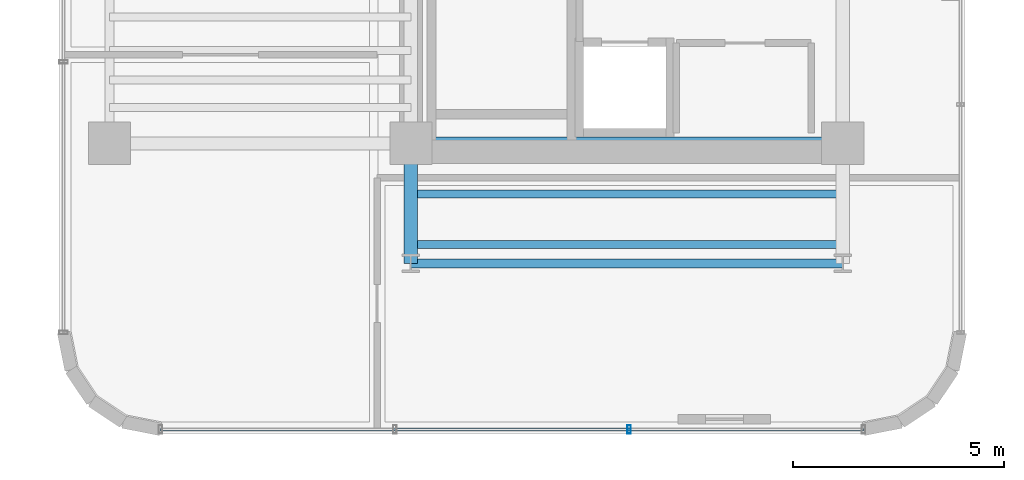
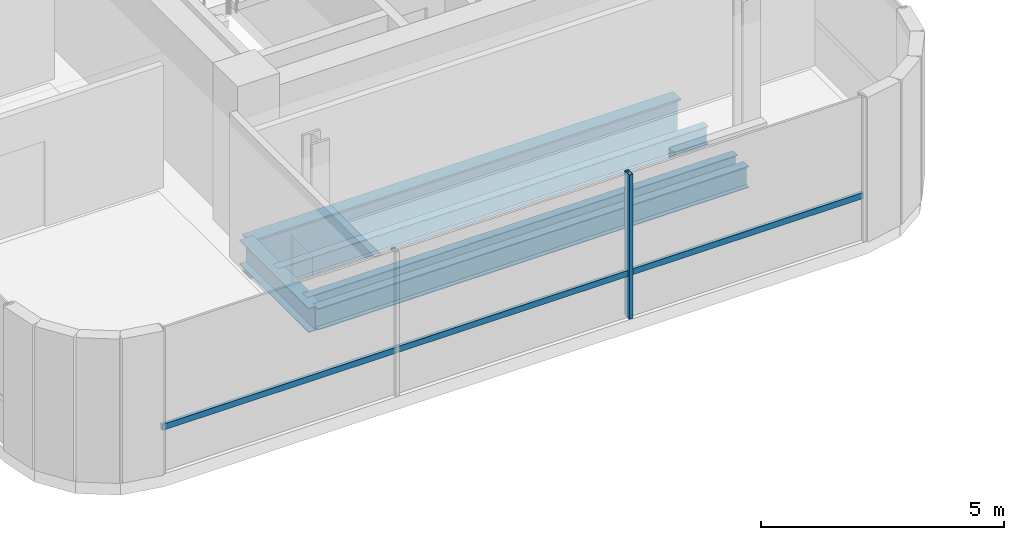
# One storey, part 3 of 37: 5 beams, 2 members, 1 element without a shape of its own.
"""IFC4 building model written with IfcOpenShell, lengths in metres."""

from ifc_helpers import new_model, si_unit, direction, frame, origin, origin_2d, place, context, subcontext, project, spatial, hollow_rectangle, i_section, extrude, source, transform, mapped, material, material_profile, profile_set, type_object, element, aggregate, save


model = new_model("IFC4")

# Units and contexts
model_context = context("Model", 3, precision=1e-05, world=origin(), true_north=direction((0.0, 1.0)))
body_context = subcontext(model_context, "Body", "Model", "MODEL_VIEW")
ifc_project = project(units=[si_unit("LENGTHUNIT", "METRE"), si_unit("AREAUNIT", "SQUARE_METRE"), si_unit("VOLUMEUNIT", "CUBIC_METRE"), si_unit("PLANEANGLEUNIT", "RADIAN"), si_unit("MASSUNIT", "GRAM", prefix="KILO")], contexts=[model_context])

# Site, building, storey
site_placement = place(None, origin())
site = spatial("IfcSite", under=ifc_project, at=site_placement, CompositionType="ELEMENT")
building_placement = place(site_placement, origin())
building = spatial("IfcBuilding", under=site, at=building_placement, Name="Valdorenza Pilgrim Sanctuary Tower", CompositionType="ELEMENT")
storey_placement = place(building_placement, frame((0.0, 0.0, 188.39990234375)))
storey = spatial("IfcBuildingStorey", under=building, at=storey_placement, Name="L48", CompositionType="ELEMENT", Elevation=188.39990234375)

# Beams
ifc_material_1 = material(Name="Steel ASTM A992 Grade 50", Category="steel")
ifc_material_profile_1 = material_profile(ifc_material_1, i_section(OverallWidth=0.323974609375, OverallDepth=0.611083984375, WebThickness=0.0126953125, FlangeThickness=0.01904296875, at=origin_2d()), Name="W24X104")
ifc_profile_set_1 = profile_set([ifc_material_profile_1], Name="Steel ASTM A992 Grade 50")
beam_type_1 = type_object("IfcBeamType", Name="STR-BM-GRD-W24B", PredefinedType="BEAM", material=ifc_profile_set_1)
shared_shape_1 = source(origin(), body_context, "Body", "SweptSolid", [
    extrude(i_section(OverallWidth=0.323974609375, OverallDepth=0.611083984375, WebThickness=0.0126953125, FlangeThickness=0.01904296875, at=origin_2d()), origin(), (0.0, 0.0, 1.0), 2.849853515625),
])
beam_1_placement = place(storey_placement, frame((-22.64990234375, -13.449951171875, -0.62548828125), z_axis=(0.0, 1.0, 0.0), x_axis=(-1.0, 0.0, 0.0)))
element("IfcBeam", 1, at=beam_1_placement, inside=storey, type_object=beam_type_1, Name="L48 Floor Girder WA-S-LW", PredefinedType="BEAM", context=body_context, shape_type="MappedRepresentation", body=[
    mapped(shared_shape_1, transform((0.0, 0.0, 0.0), x_axis=(1.0, 0.0, 0.0), y_axis=(0.0, 1.0, 0.0), z_axis=(0.0, 0.0, 1.0), scale=1.0)),
])
ifc_material_profile_2 = material_profile(ifc_material_1, i_section(OverallWidth=0.19091796875, OverallDepth=0.45703125, WebThickness=0.009033203125, FlangeThickness=0.014404296875, at=origin_2d()), Name="W18X50")
ifc_profile_set_2 = profile_set([ifc_material_profile_2], Name="Steel ASTM A992 Grade 50")
beam_type_2 = type_object("IfcBeamType", Name="STR-BM-JST-W18B", PredefinedType="JOIST", material=ifc_profile_set_2)
shared_shape_2 = source(origin(), body_context, "Body", "SweptSolid", [
    extrude(i_section(OverallWidth=0.19091796875, OverallDepth=0.45703125, WebThickness=0.009033203125, FlangeThickness=0.014404296875, at=origin_2d()), origin(), (0.0, 0.0, 1.0), 10.25),
])
for number, where, z_axis, x_axis, name in (
    (2, (-22.64990234375, -13.0, -0.54833984375), (1.0, 0.0, 0.0), (0.0, 1.0, 0.0), "L48 Composite Floor Joist JST-WAS-1"),
    (3, (-22.64990234375, -11.800048828125, -0.54833984375), (1.0, 0.0, 0.0), (0.0, 1.0, 0.0), "L48 Composite Floor Joist JST-WAS-2"),
):
    element("IfcBeam", number, at=place(storey_placement, frame(where, z_axis=z_axis, x_axis=x_axis)), inside=storey, type_object=beam_type_2, Name=name, PredefinedType="JOIST", context=body_context, shape_type="MappedRepresentation", body=[
        mapped(shared_shape_2, transform((0.0, 0.0, 0.0), x_axis=(1.0, 0.0, 0.0), y_axis=(0.0, 1.0, 0.0), z_axis=(0.0, 0.0, 1.0), scale=1.0)),
    ])
ifc_material_profile_3 = material_profile(ifc_material_1, i_section(OverallWidth=0.2109375, OverallDepth=0.5390625, WebThickness=0.01171875, FlangeThickness=0.018798828125, at=origin_2d()), Name="W21X73")
ifc_profile_set_3 = profile_set([ifc_material_profile_3], Name="Steel ASTM A992 Grade 50")
beam_type_3 = type_object("IfcBeamType", Name="STR-BM-SPN-W21B", PredefinedType="SPANDREL", material=ifc_profile_set_3)
shared_shape_3 = source(origin(), body_context, "Body", "SweptSolid", [
    extrude(i_section(OverallWidth=0.2109375, OverallDepth=0.5390625, WebThickness=0.01171875, FlangeThickness=0.018798828125, at=origin_2d()), origin(), (0.0, 0.0, 1.0), 10.25),
])
beam_2_placement = place(storey_placement, frame((-22.64990234375, -13.449951171875, -0.58935546875), z_axis=(1.0, 0.0, 0.0), x_axis=(0.0, 1.0, 0.0)))
element("IfcBeam", 4, at=beam_2_placement, inside=storey, type_object=beam_type_3, Name="L48 South Spandrel WA-S-TIE", PredefinedType="SPANDREL", context=body_context, shape_type="MappedRepresentation", body=[
    mapped(shared_shape_3, transform((0.0, 0.0, 0.0), x_axis=(1.0, 0.0, 0.0), y_axis=(0.0, 1.0, 0.0), z_axis=(0.0, 0.0, 1.0), scale=1.0)),
])
ifc_material_profile_4 = material_profile(ifc_material_1, i_section(OverallWidth=0.31005859375, OverallDepth=0.949951171875, WebThickness=0.0244140625, FlangeThickness=0.0439453125, at=origin_2d()), Name="W36X256")
ifc_profile_set_4 = profile_set([ifc_material_profile_4], Name="Steel ASTM A992 Grade 50")
beam_type_4 = type_object("IfcBeamType", Name="STR-BM-GRD-W36B", PredefinedType="BEAM", material=ifc_profile_set_4)
shared_shape_4 = source(origin(), body_context, "Body", "SweptSolid", [
    extrude(i_section(OverallWidth=0.31005859375, OverallDepth=0.949951171875, WebThickness=0.0244140625, FlangeThickness=0.0439453125, at=origin_2d()), origin(), (0.0, 0.0, 1.0), 10.25),
])
beam_3_placement = place(storey_placement, frame((-22.64990234375, -10.60009765625, -0.794921875), z_axis=(1.0, 0.0, 0.0), x_axis=(0.0, 1.0, 0.0)))
element("IfcBeam", 5, at=beam_3_placement, inside=storey, type_object=beam_type_4, Name="L48 Floor Girder CA-XC-S1", PredefinedType="BEAM", context=body_context, shape_type="MappedRepresentation", body=[
    mapped(shared_shape_4, transform((0.0, 0.0, 0.0), x_axis=(1.0, 0.0, 0.0), y_axis=(0.0, 1.0, 0.0), z_axis=(0.0, 0.0, 1.0), scale=1.0)),
])

# Curtain wall, members
ifc_material_2 = material(Name="Curtain-wall IGU glazing", Category="glass")
curtain_wall_type = type_object("IfcCurtainWallType", Name="CW-SYS-02", PredefinedType="NOTDEFINED", material=ifc_material_2)
curtain_wall_placement = place(storey_placement, origin())
curtain_wall = element("IfcCurtainWall", 6, at=curtain_wall_placement, inside=storey, type_object=curtain_wall_type, Name="L48 Curtain Wall CW-L48-1-82", PredefinedType="NOTDEFINED")
ifc_material_3 = material(Name="Anodised aluminium AW-6060", Category="aluminium")
ifc_material_profile_5 = material_profile(ifc_material_3, hollow_rectangle(XDim=0.074951171875, YDim=0.14990234375, WallThickness=0.00390625, at=origin_2d()), Name="ALU-T 150x75x4")
ifc_profile_set_5 = profile_set([ifc_material_profile_5], Name="Anodised aluminium AW-6060")
member_type_1 = type_object("IfcMemberType", Name="CW-TRN-02", PredefinedType="USERDEFINED", material=ifc_profile_set_5)
shared_shape_5 = source(origin(), body_context, "Body", "SweptSolid", [
    extrude(hollow_rectangle(XDim=0.074951171875, YDim=0.14990234375, WallThickness=0.00390625, at=origin_2d()), origin(), (0.0, 0.0, 1.0), 16.67822265625),
])
member_1_placement = place(storey_placement, frame((-11.910888671875, -17.389892578125, 1.1201171875), z_axis=(-1.0, 0.0, 0.0), x_axis=(0.0, -1.0, 0.0)))
member_1 = element("IfcMember", 7, at=member_1_placement, type_object=member_type_1, Name="CW-L48-1-82 Transom 1", ObjectType="TRANSOM", PredefinedType="USERDEFINED", context=body_context, shape_type="MappedRepresentation", body=[
    mapped(shared_shape_5, transform((0.0, 0.0, 0.0), x_axis=(1.0, 0.0, 0.0), y_axis=(0.0, 1.0, 0.0), z_axis=(0.0, 0.0, 1.0), scale=1.0)),
])
ifc_material_profile_6 = material_profile(ifc_material_3, hollow_rectangle(XDim=0.0849609375, YDim=0.199951171875, WallThickness=0.0048828125, at=origin_2d()), Name="ALU-M 200x85x5")
ifc_profile_set_6 = profile_set([ifc_material_profile_6], Name="Anodised aluminium AW-6060")
member_type_2 = type_object("IfcMemberType", Name="CW-MUL-02", PredefinedType="MULLION", material=ifc_profile_set_6)
shared_shape_6 = source(origin(), body_context, "Body", "SweptSolid", [
    extrude(hollow_rectangle(XDim=0.0849609375, YDim=0.199951171875, WallThickness=0.0048828125, at=origin_2d()), origin(), (0.0, 0.0, 1.0), 3.630126953125),
])
member_2_placement = place(storey_placement, frame((-17.47021484375, -17.389892578125, 0.0), z_axis=(0.0, 0.0, 1.0), x_axis=(-1.0, 0.0, 0.0)))
member_2 = element("IfcMember", 8, at=member_2_placement, type_object=member_type_2, Name="CW-L48-1-82 Mullion 2", PredefinedType="MULLION", context=body_context, shape_type="MappedRepresentation", body=[
    mapped(shared_shape_6, transform((0.0, 0.0, 0.0), x_axis=(1.0, 0.0, 0.0), y_axis=(0.0, 1.0, 0.0), z_axis=(0.0, 0.0, 1.0), scale=1.0)),
])
aggregate(curtain_wall, [member_2, member_1])

save(model, "model.ifc")
